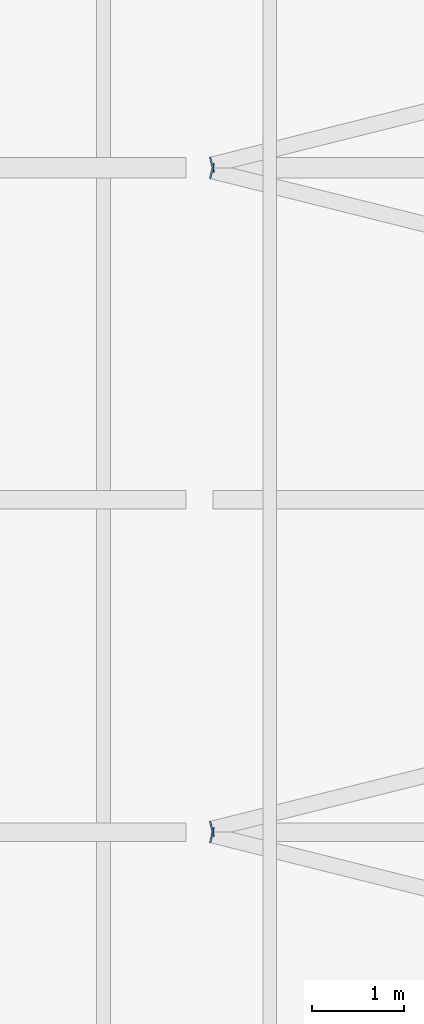
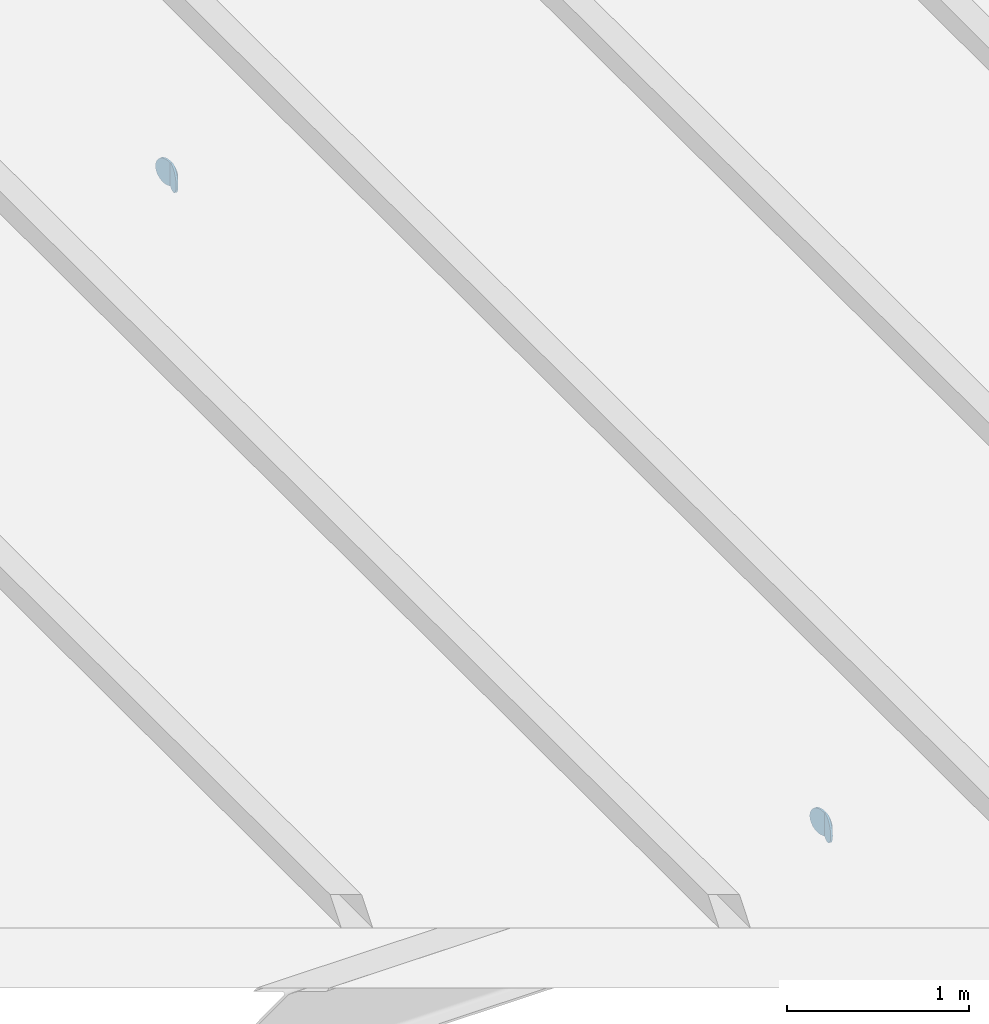
# One storey, part 95 of 120: 4 discrete accessories.
"""IFC4 building model written with IfcOpenShell, lengths in metres."""

from ifc_helpers import new_model, si_unit, direction, frame, origin, origin_2d, place, context, subcontext, project, spatial, circle, extrude, material, layer, layer_set, type_object, element, save


model = new_model("IFC4")

# Units and contexts
model_context = context("Model", 3, precision=1e-05, world=origin(), true_north=direction((0.0, 1.0)))
body_context = subcontext(model_context, "Body", "Model", "MODEL_VIEW")
ifc_project = project(units=[si_unit("LENGTHUNIT", "METRE"), si_unit("AREAUNIT", "SQUARE_METRE"), si_unit("VOLUMEUNIT", "CUBIC_METRE"), si_unit("PLANEANGLEUNIT", "RADIAN"), si_unit("MASSUNIT", "GRAM", prefix="KILO")], contexts=[model_context])

# Site, building, storey
site_placement = place(None, origin())
site = spatial("IfcSite", under=ifc_project, at=site_placement, CompositionType="ELEMENT")
building_placement = place(site_placement, origin())
building = spatial("IfcBuilding", under=site, at=building_placement, Name="Kupolbacken Congress Centre", CompositionType="ELEMENT")
storey_placement = place(building_placement, frame((0.0, 0.0, 21.60009765625)))
storey = spatial("IfcBuildingStorey", under=building, at=storey_placement, Name="L06", CompositionType="ELEMENT", Elevation=21.60009765625)

# Discrete accessories
ifc_material = material(Name="Steel S355", Category="steel")
ifc_layer = layer(ifc_material, 0.011962890625)
ifc_layer_set = layer_set([ifc_layer], Name="Steel S355")
discrete_accessory_type = type_object("IfcDiscreteAccessoryType", Name="EC2 tube end cap plate 168 dia x 12", PredefinedType="BRACKET", material=ifc_layer_set)
for number, where, z_axis, x_axis, name in (
    (1, (180.140625, 46.764892578125, -0.084228515625), (-0.974732318528, 0.223376156329, 0.0), (-0.223376156329, -0.974732318528, 0.0), "End cap plate HR/RB/07-00 B"),
    (2, (180.140625, 46.835205078125, -0.084228515625), (-0.970142500145, -0.242535625036, 0.0), (0.242535625036, -0.970142500145, 0.0), "End cap plate HR/RB/07-01 A"),
    (3, (180.140625, 53.96484375, -0.084228515625), (-0.970142500145, 0.242535625036, 0.0), (-0.242535625036, -0.970142500145, 0.0), "End cap plate HR/RB/07-02 B"),
    (4, (180.140625, 54.03515625, -0.084228515625), (-0.970142500145, -0.242535625036, 0.0), (0.242535625036, -0.970142500145, 0.0), "End cap plate HR/RB/07-03 A"),
):
    element("IfcDiscreteAccessory", number, at=place(storey_placement, frame(where, z_axis=z_axis, x_axis=x_axis)), inside=storey, type_object=discrete_accessory_type, Name=name, PredefinedType="BRACKET", context=body_context, shape_type="SweptSolid", body=[
        extrude(circle(Radius=0.084228515625, at=origin_2d()), origin(), (0.0, 0.0, 1.0), 0.011962890625),
    ])

save(model, "model.ifc")
